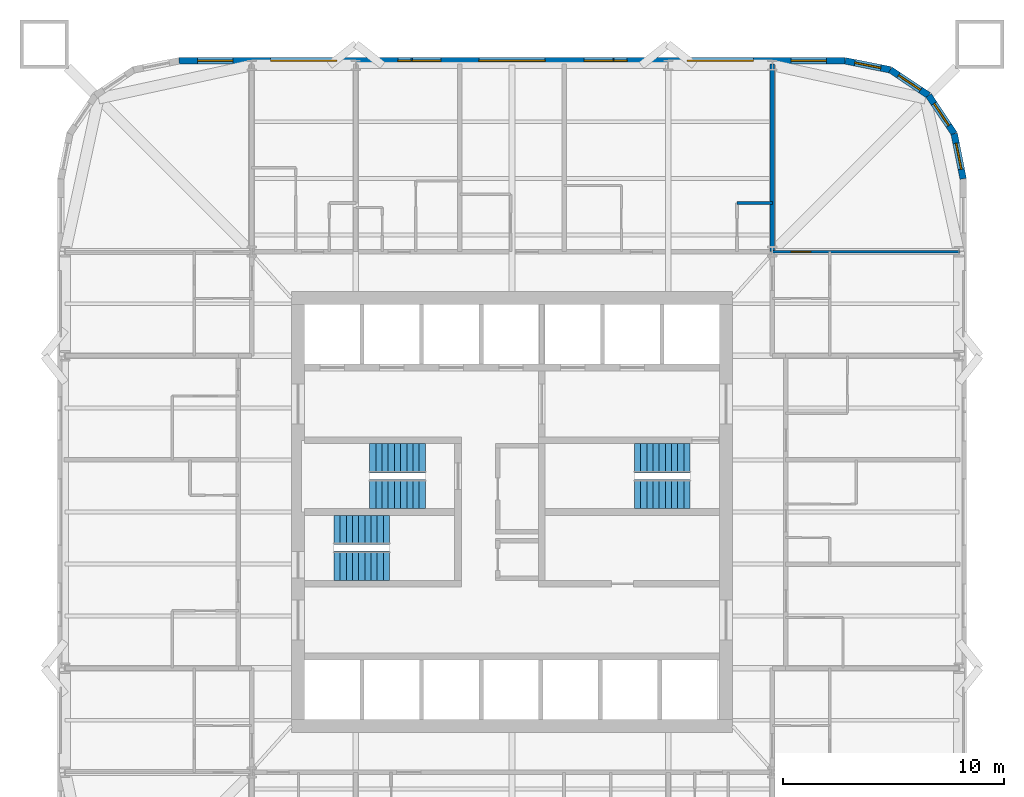
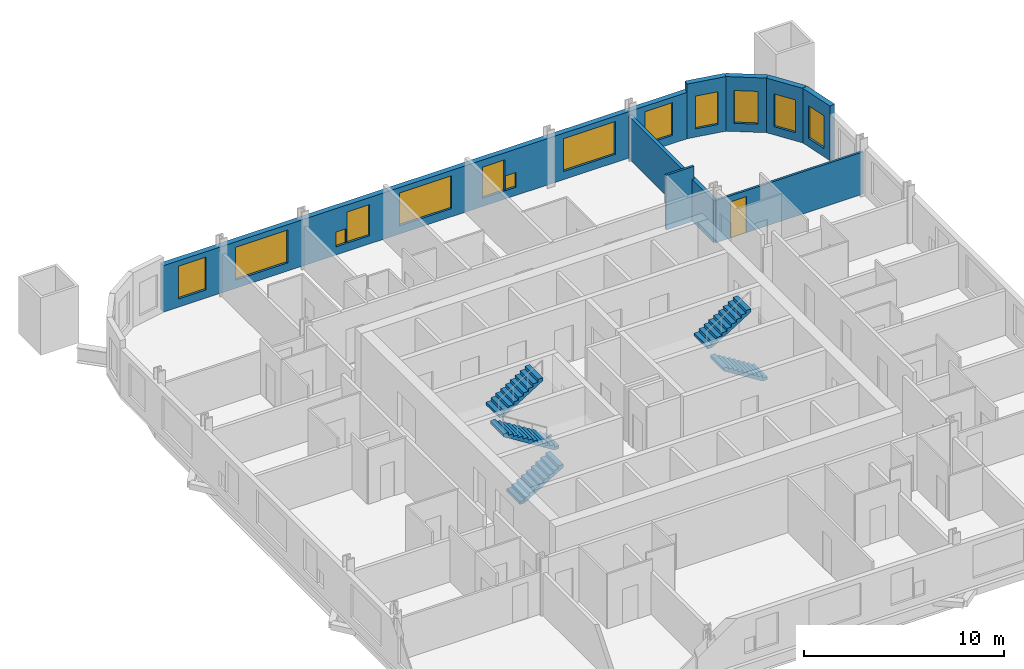
# One storey, part 8 of 9: 13 windows, 8 walls, 6 stair flights, 1 door, 14 openings, 3 elements without a shape of their own.
"""IFC4 building model written with IfcOpenShell, lengths in metres."""

from ifc_helpers import new_model, si_unit, direction, frame, frame_2d, origin, place, context, subcontext, project, spatial, polyline, rectangle, outline, extrude, material, layer, layer_set, type_object, element, fill, aggregate, save


model = new_model("IFC4")

# Units and contexts
model_context = context("Model", 3, precision=1e-05, world=origin(), true_north=direction((0.0, 1.0)))
body_context = subcontext(model_context, "Body", "Model", "MODEL_VIEW")
ifc_project = project(units=[si_unit("LENGTHUNIT", "METRE"), si_unit("AREAUNIT", "SQUARE_METRE"), si_unit("VOLUMEUNIT", "CUBIC_METRE"), si_unit("PLANEANGLEUNIT", "RADIAN"), si_unit("MASSUNIT", "GRAM", prefix="KILO")], contexts=[model_context])

# Site, building, storey
site_placement = place(None, origin())
site = spatial("IfcSite", under=ifc_project, at=site_placement, CompositionType="ELEMENT")
building_placement = place(site_placement, origin())
building = spatial("IfcBuilding", under=site, at=building_placement, Name="Turquesa Mirador Hotel Tower", CompositionType="ELEMENT")
storey_placement = place(building_placement, frame((0.0, 0.0, 114.39990234375)))
storey = spatial("IfcBuildingStorey", under=building, at=storey_placement, Name="L30", CompositionType="ELEMENT", Elevation=114.39990234375)

# Wall, opening, window
ifc_material_1 = material(Name="Limestone cladding on concrete block", Category="masonry")
ifc_layer_1 = layer(ifc_material_1, 0.300048828125)
ifc_layer_set_1 = layer_set([ifc_layer_1], Name="FACADE WALL 300 STONE SCREEN")
wall_type_1 = type_object("IfcWallType", Name="FACADE WALL 300 STONE SCREEN", PredefinedType="SOLIDWALL", material=ifc_layer_set_1)
wall_1_placement = place(storey_placement, frame((75.449951171875, 60.10009765625, 0.0), z_axis=(0.0, 0.0, 1.0), x_axis=(-0.195081421501, 0.980787050784, 0.0)))
wall_1 = element("IfcWall", 1, at=wall_1_placement, inside=storey, type_object=wall_type_1, Name="Facade wall L30 05", PredefinedType="SOLIDWALL", context=body_context, shape_type="SweptSolid", body=[
    extrude(rectangle(XDim=2.08740234375, YDim=0.300048828125, at=frame_2d((1.043701171875, 0.0))), origin(), (0.0, 0.0, 1.0), 3.330078125),
])
opening_1_placement = place(wall_1_placement, frame((0.443603515625, 0.0, 0.5)))
opening_1 = element("IfcOpeningElement", 2, at=opening_1_placement, cuts=wall_1, Name="Opening WN4", PredefinedType="OPENING", context=body_context, shape_type="SweptSolid", body=[
    extrude(rectangle(XDim=1.199951171875, YDim=2.0, at=frame_2d((0.60009765625, 1.0))), frame((0.0, 0.159912109375, 0.0), z_axis=(0.0, -1.0, 0.0), x_axis=(1.0, 0.0, 0.0)), (0.0, 0.0, 1.0), 0.320068359375),
])
ifc_material_2 = material(Name="Ceramic-fritted laminated glass", Category="glass")
window_type_1 = type_object("IfcWindowType", Name="FRITTED CORNER WINDOW 1200X2000", PartitioningType="DOUBLE_PANEL_HORIZONTAL", PredefinedType="WINDOW", material=ifc_material_2)
window_1_placement = place(opening_1_placement, origin())
window_1 = element("IfcWindow", 3, at=window_1_placement, inside=storey, type_object=window_type_1, Name="Window L30", OverallHeight=2.0, OverallWidth=1.199951171875, PartitioningType="SINGLE_PANEL", PredefinedType="WINDOW", context=body_context, shape_type="SweptSolid", body=[
    extrude(rectangle(XDim=1.199951171875, YDim=2.0, at=frame_2d((0.60009765625, 1.0))), frame((0.0, 0.030029296875, 0.0), z_axis=(0.0, -1.0, 0.0), x_axis=(1.0, 0.0, 0.0)), (0.0, 0.0, 1.0), 0.06005859375),
])
fill(opening_1, window_1)

wall_2_placement = place(storey_placement, frame((75.042724609375, 62.1474609375, 0.0), z_axis=(0.0, 0.0, 1.0), x_axis=(-0.555563607591, 0.831474039234, 0.0)))
wall_2 = element("IfcWall", 4, at=wall_2_placement, inside=storey, type_object=wall_type_1, Name="Facade wall L30 06", PredefinedType="SOLIDWALL", context=body_context, shape_type="SweptSolid", body=[
    extrude(rectangle(XDim=2.08740234375, YDim=0.300048828125, at=frame_2d((1.043701171875, 0.0))), origin(), (0.0, 0.0, 1.0), 3.330078125),
])
opening_2_placement = place(wall_2_placement, frame((0.443603515625, 0.0, 0.5)))
opening_2 = element("IfcOpeningElement", 5, at=opening_2_placement, cuts=wall_2, Name="Opening WN4", PredefinedType="OPENING", context=body_context, shape_type="SweptSolid", body=[
    extrude(rectangle(XDim=1.199951171875, YDim=2.0, at=frame_2d((0.60009765625, 1.0))), frame((0.0, 0.159912109375, 0.0), z_axis=(0.0, -1.0, 0.0), x_axis=(1.0, 0.0, 0.0)), (0.0, 0.0, 1.0), 0.320068359375),
])
window_2_placement = place(opening_2_placement, origin())
window_2 = element("IfcWindow", 6, at=window_2_placement, inside=storey, type_object=window_type_1, Name="Window L30", OverallHeight=2.0, OverallWidth=1.199951171875, PartitioningType="SINGLE_PANEL", PredefinedType="WINDOW", context=body_context, shape_type="SweptSolid", body=[
    extrude(rectangle(XDim=1.199951171875, YDim=2.0, at=frame_2d((0.60009765625, 1.0))), frame((0.0, 0.030029296875, 0.0), z_axis=(0.0, -1.0, 0.0), x_axis=(1.0, 0.0, 0.0)), (0.0, 0.0, 1.0), 0.06005859375),
])
fill(opening_2, window_2)

wall_3_placement = place(storey_placement, frame((73.883056640625, 63.883056640625, 0.0), z_axis=(0.0, 0.0, 1.0), x_axis=(-0.831474039234, 0.555563607591, 0.0)))
wall_3 = element("IfcWall", 7, at=wall_3_placement, inside=storey, type_object=wall_type_1, Name="Facade wall L30 07", PredefinedType="SOLIDWALL", context=body_context, shape_type="SweptSolid", body=[
    extrude(rectangle(XDim=2.08740234375, YDim=0.300048828125, at=frame_2d((1.043701171875, 0.0))), origin(), (0.0, 0.0, 1.0), 3.330078125),
])
opening_3_placement = place(wall_3_placement, frame((0.443603515625, 0.0, 0.5)))
opening_3 = element("IfcOpeningElement", 8, at=opening_3_placement, cuts=wall_3, Name="Opening WN4", PredefinedType="OPENING", context=body_context, shape_type="SweptSolid", body=[
    extrude(rectangle(XDim=1.199951171875, YDim=2.0, at=frame_2d((0.60009765625, 1.0))), frame((0.0, 0.159912109375, 0.0), z_axis=(0.0, -1.0, 0.0), x_axis=(1.0, 0.0, 0.0)), (0.0, 0.0, 1.0), 0.320068359375),
])
window_3_placement = place(opening_3_placement, origin())
window_3 = element("IfcWindow", 9, at=window_3_placement, inside=storey, type_object=window_type_1, Name="Window L30", OverallHeight=2.0, OverallWidth=1.199951171875, PartitioningType="SINGLE_PANEL", PredefinedType="WINDOW", context=body_context, shape_type="SweptSolid", body=[
    extrude(rectangle(XDim=1.199951171875, YDim=2.0, at=frame_2d((0.60009765625, 1.0))), frame((0.0, 0.030029296875, 0.0), z_axis=(0.0, -1.0, 0.0), x_axis=(1.0, 0.0, 0.0)), (0.0, 0.0, 1.0), 0.06005859375),
])
fill(opening_3, window_3)

wall_4_placement = place(storey_placement, frame((72.1474609375, 65.042724609375, 0.0), z_axis=(0.0, 0.0, 1.0), x_axis=(-0.980787050784, 0.195081421501, 0.0)))
wall_4 = element("IfcWall", 10, at=wall_4_placement, inside=storey, type_object=wall_type_1, Name="Facade wall L30 08", PredefinedType="SOLIDWALL", context=body_context, shape_type="SweptSolid", body=[
    extrude(rectangle(XDim=2.08740234375, YDim=0.300048828125, at=frame_2d((1.043701171875, 0.0))), origin(), (0.0, 0.0, 1.0), 3.330078125),
])
opening_4_placement = place(wall_4_placement, frame((0.443603515625, 0.0, 0.5)))
opening_4 = element("IfcOpeningElement", 11, at=opening_4_placement, cuts=wall_4, Name="Opening WN4", PredefinedType="OPENING", context=body_context, shape_type="SweptSolid", body=[
    extrude(rectangle(XDim=1.199951171875, YDim=2.0, at=frame_2d((0.60009765625, 1.0))), frame((0.0, 0.159912109375, 0.0), z_axis=(0.0, -1.0, 0.0), x_axis=(1.0, 0.0, 0.0)), (0.0, 0.0, 1.0), 0.320068359375),
])
window_4_placement = place(opening_4_placement, origin())
window_4 = element("IfcWindow", 12, at=window_4_placement, inside=storey, type_object=window_type_1, Name="Window L30", OverallHeight=2.0, OverallWidth=1.199951171875, PartitioningType="SINGLE_PANEL", PredefinedType="WINDOW", context=body_context, shape_type="SweptSolid", body=[
    extrude(rectangle(XDim=1.199951171875, YDim=2.0, at=frame_2d((0.60009765625, 1.0))), frame((0.0, 0.030029296875, 0.0), z_axis=(0.0, -1.0, 0.0), x_axis=(1.0, 0.0, 0.0)), (0.0, 0.0, 1.0), 0.06005859375),
])
fill(opening_4, window_4)

# Wall, openings, windows
wall_5_placement = place(storey_placement, frame((70.10009765625, 65.449951171875, 0.0), z_axis=(0.0, 0.0, 1.0), x_axis=(-1.0, 0.0, 0.0)))
wall_5 = element("IfcWall", 13, at=wall_5_placement, inside=storey, type_object=wall_type_1, Name="Facade wall L30 09", PredefinedType="SOLIDWALL", context=body_context, shape_type="SweptSolid", body=[
    extrude(rectangle(XDim=30.2001953125, YDim=0.300048828125, at=frame_2d((15.10009765625, 0.0))), origin(), (0.0, 0.0, 1.0), 2.830078125),
])
opening_5_placement = place(wall_5_placement, frame((0.85009765625, 0.0, 0.5)))
opening_5 = element("IfcOpeningElement", 14, at=opening_5_placement, cuts=wall_5, Name="Opening WN3", PredefinedType="OPENING", context=body_context, shape_type="SweptSolid", body=[
    extrude(rectangle(XDim=1.60009765625, YDim=2.0, at=frame_2d((0.800048828125, 1.0))), frame((0.0, 0.159912109375, 0.0), z_axis=(0.0, -1.0, 0.0), x_axis=(1.0, 0.0, 0.0)), (0.0, 0.0, 1.0), 0.320068359375),
])
opening_6_placement = place(wall_5_placement, frame((4.159912109375, 0.0, 0.5)))
opening_6 = element("IfcOpeningElement", 15, at=opening_6_placement, cuts=wall_5, Name="Opening WN1", PredefinedType="OPENING", context=body_context, shape_type="SweptSolid", body=[
    extrude(rectangle(XDim=3.0, YDim=2.0, at=frame_2d((1.5, 1.0))), frame((0.0, 0.159912109375, 0.0), z_axis=(0.0, -1.0, 0.0), x_axis=(1.0, 0.0, 0.0)), (0.0, 0.0, 1.0), 0.320068359375),
])
opening_7_placement = place(wall_5_placement, frame((10.530029296875, 0.0, 0.5)))
opening_7 = element("IfcOpeningElement", 16, at=opening_7_placement, cuts=wall_5, Name="Opening WN27", PredefinedType="OPENING", context=body_context, shape_type="SweptSolid", body=[
    extrude(rectangle(XDim=1.300048828125, YDim=1.89990234375, at=frame_2d((0.64990234375, 0.949951171875))), frame((0.0, 0.159912109375, 0.0), z_axis=(0.0, -1.0, 0.0), x_axis=(1.0, 0.0, 0.0)), (0.0, 0.0, 1.0), 0.320068359375),
])
opening_8_placement = place(wall_5_placement, frame((13.60009765625, 0.0, 0.5)))
opening_8 = element("IfcOpeningElement", 17, at=opening_8_placement, cuts=wall_5, Name="Opening WN1", PredefinedType="OPENING", context=body_context, shape_type="SweptSolid", body=[
    extrude(rectangle(XDim=3.0, YDim=2.0, at=frame_2d((1.5, 1.0))), frame((0.0, 0.159912109375, 0.0), z_axis=(0.0, -1.0, 0.0), x_axis=(1.0, 0.0, 0.0)), (0.0, 0.0, 1.0), 0.320068359375),
])
opening_9_placement = place(wall_5_placement, frame((18.320068359375, 0.0, 0.5)))
opening_9 = element("IfcOpeningElement", 18, at=opening_9_placement, cuts=wall_5, Name="Opening WN27", PredefinedType="OPENING", context=body_context, shape_type="SweptSolid", body=[
    extrude(rectangle(XDim=1.300048828125, YDim=1.89990234375, at=frame_2d((0.64990234375, 0.949951171875))), frame((0.0, 0.159912109375, 0.0), z_axis=(0.0, -1.0, 0.0), x_axis=(1.0, 0.0, 0.0)), (0.0, 0.0, 1.0), 0.320068359375),
])
opening_10_placement = place(wall_5_placement, frame((23.0400390625, 0.0, 0.5)))
opening_10 = element("IfcOpeningElement", 19, at=opening_10_placement, cuts=wall_5, Name="Opening WN1", PredefinedType="OPENING", context=body_context, shape_type="SweptSolid", body=[
    extrude(rectangle(XDim=3.0, YDim=2.0, at=frame_2d((1.5, 1.0))), frame((0.0, 0.159912109375, 0.0), z_axis=(0.0, -1.0, 0.0), x_axis=(1.0, 0.0, 0.0)), (0.0, 0.0, 1.0), 0.320068359375),
])
opening_11_placement = place(wall_5_placement, frame((27.75, 0.0, 0.5)))
opening_11 = element("IfcOpeningElement", 20, at=opening_11_placement, cuts=wall_5, Name="Opening WN3", PredefinedType="OPENING", context=body_context, shape_type="SweptSolid", body=[
    extrude(rectangle(XDim=1.60009765625, YDim=2.0, at=frame_2d((0.800048828125, 1.0))), frame((0.0, 0.159912109375, 0.0), z_axis=(0.0, -1.0, 0.0), x_axis=(1.0, 0.0, 0.0)), (0.0, 0.0, 1.0), 0.320068359375),
])
opening_12_placement = place(wall_5_placement, frame((9.8798828125, 0.0, 0.5)))
opening_12 = element("IfcOpeningElement", 21, at=opening_12_placement, cuts=wall_5, Name="Opening WN25", PredefinedType="OPENING", context=body_context, shape_type="SweptSolid", body=[
    extrude(rectangle(XDim=0.60009765625, YDim=0.89990234375, at=frame_2d((0.300048828125, 0.449951171875))), frame((0.0, 0.159912109375, 0.0), z_axis=(0.0, -1.0, 0.0), x_axis=(1.0, 0.0, 0.0)), (0.0, 0.0, 1.0), 0.320068359375),
])
opening_13_placement = place(wall_5_placement, frame((19.669921875, 0.0, 0.5)))
opening_13 = element("IfcOpeningElement", 22, at=opening_13_placement, cuts=wall_5, Name="Opening WN25", PredefinedType="OPENING", context=body_context, shape_type="SweptSolid", body=[
    extrude(rectangle(XDim=0.60009765625, YDim=0.89990234375, at=frame_2d((0.300048828125, 0.449951171875))), frame((0.0, 0.159912109375, 0.0), z_axis=(0.0, -1.0, 0.0), x_axis=(1.0, 0.0, 0.0)), (0.0, 0.0, 1.0), 0.320068359375),
])
ifc_material_3 = material(Name="Ceramic-fritted laminated glass", Category="glass")
window_type_2 = type_object("IfcWindowType", Name="FRITTED WINDOW 1300X1900", PartitioningType="DOUBLE_PANEL_HORIZONTAL", PredefinedType="WINDOW", material=ifc_material_3)
window_5_placement = place(opening_7_placement, origin())
window_5 = element("IfcWindow", 23, at=window_5_placement, inside=storey, type_object=window_type_2, Name="Window L30", OverallHeight=1.89990234375, OverallWidth=1.300048828125, PartitioningType="SINGLE_PANEL", PredefinedType="WINDOW", context=body_context, shape_type="SweptSolid", body=[
    extrude(rectangle(XDim=1.300048828125, YDim=1.89990234375, at=frame_2d((0.64990234375, 0.949951171875))), frame((0.0, 0.030029296875, 0.0), z_axis=(0.0, -1.0, 0.0), x_axis=(1.0, 0.0, 0.0)), (0.0, 0.0, 1.0), 0.06005859375),
])
fill(opening_7, window_5)
window_6_placement = place(opening_9_placement, origin())
window_6 = element("IfcWindow", 24, at=window_6_placement, inside=storey, type_object=window_type_2, Name="Window L30", OverallHeight=1.89990234375, OverallWidth=1.300048828125, PartitioningType="SINGLE_PANEL", PredefinedType="WINDOW", context=body_context, shape_type="SweptSolid", body=[
    extrude(rectangle(XDim=1.300048828125, YDim=1.89990234375, at=frame_2d((0.64990234375, 0.949951171875))), frame((0.0, 0.030029296875, 0.0), z_axis=(0.0, -1.0, 0.0), x_axis=(1.0, 0.0, 0.0)), (0.0, 0.0, 1.0), 0.06005859375),
])
fill(opening_9, window_6)
ifc_material_4 = material(Name="Ceramic-fritted laminated glass", Category="glass")
window_type_3 = type_object("IfcWindowType", Name="FRITTED WINDOW 1600X2000", PartitioningType="DOUBLE_PANEL_HORIZONTAL", PredefinedType="WINDOW", material=ifc_material_4)
window_7_placement = place(opening_5_placement, origin())
window_7 = element("IfcWindow", 25, at=window_7_placement, inside=storey, type_object=window_type_3, Name="Window L30", OverallHeight=2.0, OverallWidth=1.60009765625, PartitioningType="SINGLE_PANEL", PredefinedType="WINDOW", context=body_context, shape_type="SweptSolid", body=[
    extrude(rectangle(XDim=1.60009765625, YDim=2.0, at=frame_2d((0.800048828125, 1.0))), frame((0.0, 0.030029296875, 0.0), z_axis=(0.0, -1.0, 0.0), x_axis=(1.0, 0.0, 0.0)), (0.0, 0.0, 1.0), 0.06005859375),
])
fill(opening_5, window_7)
window_8_placement = place(opening_11_placement, origin())
window_8 = element("IfcWindow", 26, at=window_8_placement, inside=storey, type_object=window_type_3, Name="Window L30", OverallHeight=2.0, OverallWidth=1.60009765625, PartitioningType="SINGLE_PANEL", PredefinedType="WINDOW", context=body_context, shape_type="SweptSolid", body=[
    extrude(rectangle(XDim=1.60009765625, YDim=2.0, at=frame_2d((0.800048828125, 1.0))), frame((0.0, 0.030029296875, 0.0), z_axis=(0.0, -1.0, 0.0), x_axis=(1.0, 0.0, 0.0)), (0.0, 0.0, 1.0), 0.06005859375),
])
fill(opening_11, window_8)
ifc_material_5 = material(Name="Ceramic-fritted laminated glass", Category="glass")
window_type_4 = type_object("IfcWindowType", Name="FRITTED WINDOW 3000X2000", PartitioningType="DOUBLE_PANEL_HORIZONTAL", PredefinedType="WINDOW", material=ifc_material_5)
window_9_placement = place(opening_6_placement, origin())
window_9 = element("IfcWindow", 27, at=window_9_placement, inside=storey, type_object=window_type_4, Name="Window L30", OverallHeight=2.0, OverallWidth=3.0, PartitioningType="SINGLE_PANEL", PredefinedType="WINDOW", context=body_context, shape_type="SweptSolid", body=[
    extrude(rectangle(XDim=3.0, YDim=2.0, at=frame_2d((1.5, 1.0))), frame((0.0, 0.030029296875, 0.0), z_axis=(0.0, -1.0, 0.0), x_axis=(1.0, 0.0, 0.0)), (0.0, 0.0, 1.0), 0.06005859375),
])
fill(opening_6, window_9)
window_10_placement = place(opening_8_placement, origin())
window_10 = element("IfcWindow", 28, at=window_10_placement, inside=storey, type_object=window_type_4, Name="Window L30", OverallHeight=2.0, OverallWidth=3.0, PartitioningType="SINGLE_PANEL", PredefinedType="WINDOW", context=body_context, shape_type="SweptSolid", body=[
    extrude(rectangle(XDim=3.0, YDim=2.0, at=frame_2d((1.5, 1.0))), frame((0.0, 0.030029296875, 0.0), z_axis=(0.0, -1.0, 0.0), x_axis=(1.0, 0.0, 0.0)), (0.0, 0.0, 1.0), 0.06005859375),
])
fill(opening_8, window_10)
window_11_placement = place(opening_10_placement, origin())
window_11 = element("IfcWindow", 29, at=window_11_placement, inside=storey, type_object=window_type_4, Name="Window L30", OverallHeight=2.0, OverallWidth=3.0, PartitioningType="SINGLE_PANEL", PredefinedType="WINDOW", context=body_context, shape_type="SweptSolid", body=[
    extrude(rectangle(XDim=3.0, YDim=2.0, at=frame_2d((1.5, 1.0))), frame((0.0, 0.030029296875, 0.0), z_axis=(0.0, -1.0, 0.0), x_axis=(1.0, 0.0, 0.0)), (0.0, 0.0, 1.0), 0.06005859375),
])
fill(opening_10, window_11)
ifc_material_6 = material(Name="Ceramic-fritted laminated glass", Category="glass")
window_type_5 = type_object("IfcWindowType", Name="FRITTED WINDOW 600X900", PartitioningType="DOUBLE_PANEL_HORIZONTAL", PredefinedType="WINDOW", material=ifc_material_6)
window_12_placement = place(opening_12_placement, origin())
window_12 = element("IfcWindow", 30, at=window_12_placement, inside=storey, type_object=window_type_5, Name="Window L30", OverallHeight=0.89990234375, OverallWidth=0.60009765625, PartitioningType="SINGLE_PANEL", PredefinedType="WINDOW", context=body_context, shape_type="SweptSolid", body=[
    extrude(rectangle(XDim=0.60009765625, YDim=0.89990234375, at=frame_2d((0.300048828125, 0.449951171875))), frame((0.0, 0.030029296875, 0.0), z_axis=(0.0, -1.0, 0.0), x_axis=(1.0, 0.0, 0.0)), (0.0, 0.0, 1.0), 0.06005859375),
])
fill(opening_12, window_12)
window_13_placement = place(opening_13_placement, origin())
window_13 = element("IfcWindow", 31, at=window_13_placement, inside=storey, type_object=window_type_5, Name="Window L30", OverallHeight=0.89990234375, OverallWidth=0.60009765625, PartitioningType="SINGLE_PANEL", PredefinedType="WINDOW", context=body_context, shape_type="SweptSolid", body=[
    extrude(rectangle(XDim=0.60009765625, YDim=0.89990234375, at=frame_2d((0.300048828125, 0.449951171875))), frame((0.0, 0.030029296875, 0.0), z_axis=(0.0, -1.0, 0.0), x_axis=(1.0, 0.0, 0.0)), (0.0, 0.0, 1.0), 0.06005859375),
])
fill(opening_13, window_13)

# Wall
ifc_material_7 = material(Name="Fire-rated gypsum board on steel studs", Category="steel")
ifc_layer_2 = layer(ifc_material_7, 0.199951171875)
ifc_layer_set_2 = layer_set([ifc_layer_2], Name="PARTY WALL 200")
wall_type_2 = type_object("IfcWallType", Name="PARTY WALL 200", PredefinedType="PARTITIONING", material=ifc_layer_set_2)
wall_6_placement = place(storey_placement, frame((66.800048828125, 56.800048828125, 0.0), z_axis=(0.0, 0.0, 1.0), x_axis=(0.0, 1.0, 0.0)))
element("IfcWall", 32, at=wall_6_placement, inside=storey, type_object=wall_type_2, Name="Partition L30 068", PredefinedType="PARTITIONING", context=body_context, shape_type="SweptSolid", body=[
    extrude(rectangle(XDim=8.5, YDim=0.199951171875, at=frame_2d((4.25, 0.0))), origin(), (0.0, 0.0, 1.0), 2.5732421875),
])

# Wall, opening, door
ifc_material_8 = material(Name="Acoustic gypsum board on steel studs", Category="steel")
ifc_layer_3 = layer(ifc_material_8, 0.125)
ifc_layer_set_3 = layer_set([ifc_layer_3], Name="SUITE PARTITION 125")
wall_type_3 = type_object("IfcWallType", Name="SUITE PARTITION 125", PredefinedType="PARTITIONING", material=ifc_layer_set_3)
wall_7_placement = place(storey_placement, frame((66.800048828125, 56.800048828125, 0.0), z_axis=(0.0, 0.0, 1.0), x_axis=(1.0, 0.0, 0.0)))
wall_7 = element("IfcWall", 33, at=wall_7_placement, inside=storey, type_object=wall_type_3, Name="Partition L30 023", PredefinedType="PARTITIONING", context=body_context, shape_type="SweptSolid", body=[
    extrude(rectangle(XDim=8.5, YDim=0.125, at=frame_2d((4.25, 0.0))), origin(), (0.0, 0.0, 1.0), 2.5732421875),
])
opening_14_placement = place(wall_7_placement, frame((0.85009765625, 0.0, 0.0)))
opening_14 = element("IfcOpeningElement", 34, at=opening_14_placement, cuts=wall_7, Name="Opening D17", PredefinedType="OPENING", context=body_context, shape_type="SweptSolid", body=[
    extrude(rectangle(XDim=0.89990234375, YDim=2.199951171875, at=frame_2d((0.449951171875, 1.10009765625))), frame((0.0, 0.072509765625, 0.0), z_axis=(0.0, -1.0, 0.0), x_axis=(1.0, 0.0, 0.0)), (0.0, 0.0, 1.0), 0.14501953125),
])
ifc_material_9 = material(Name="Timber veneered door", Category="wood")
door_type = type_object("IfcDoorType", Name="DOOR 900X2200 SUITE INTERNAL", OperationType="SINGLE_SWING_LEFT", PredefinedType="DOOR", material=ifc_material_9)
door_placement = place(opening_14_placement, origin())
door = element("IfcDoor", 35, at=door_placement, inside=storey, type_object=door_type, Name="Door 3013", OperationType="SINGLE_SWING_LEFT", OverallHeight=2.199951171875, OverallWidth=0.89990234375, PredefinedType="DOOR", context=body_context, shape_type="SweptSolid", body=[
    extrude(rectangle(XDim=0.89990234375, YDim=2.199951171875, at=frame_2d((0.449951171875, 1.10009765625))), frame((0.0, 0.02490234375, 0.0), z_axis=(0.0, -1.0, 0.0), x_axis=(1.0, 0.0, 0.0)), (0.0, 0.0, 1.0), 0.050048828125),
])
fill(opening_14, door)

# Wall
wall_8_placement = place(storey_placement, frame((65.199951171875, 59.0, 0.0), z_axis=(0.0, 0.0, 1.0), x_axis=(1.0, 0.0, 0.0)))
element("IfcWall", 36, at=wall_8_placement, inside=storey, type_object=wall_type_3, Name="Partition L30 026", PredefinedType="PARTITIONING", context=body_context, shape_type="SweptSolid", body=[
    extrude(rectangle(XDim=1.60009765625, YDim=0.125, at=frame_2d((0.800048828125, 0.0))), origin(), (0.0, 0.0, 1.0), 3.330078125),
])

# Stair, stair flights
ifc_material_10 = material(Name="Concrete C35/45", Category="concrete")
stair_type = type_object("IfcStairType", Name="ESCAPE STAIR CORE", PredefinedType="HALF_TURN_STAIR", material=ifc_material_10)
stair_1_placement = place(storey_placement, origin())
stair_1 = element("IfcStair", 37, at=stair_1_placement, inside=storey, type_object=stair_type, Name="Stair ST1 L30 to L31", PredefinedType="HALF_TURN_STAIR")
ifc_material_11 = material(Name="Concrete C35/45 precast flight", Category="concrete")
stair_flight_type = type_object("IfcStairFlightType", Name="STAIR FLIGHT 1330", PredefinedType="STRAIGHT", material=ifc_material_11)
stair_flight_1_placement = place(storey_placement, frame((51.070068359375, 45.81494140625, 0.0), z_axis=(0.0, 0.0, 1.0), x_axis=(-1.0, 0.0, 0.0)))
stair_flight_1 = element("IfcStairFlight", 38, at=stair_flight_1_placement, type_object=stair_flight_type, Name="ST1 flight 1", NumberOfRisers=10, NumberOfTreads=9, PredefinedType="STRAIGHT", RiserHeight=0.175, TreadLength=0.28, context=body_context, shape_type="SweptSolid", body=[
    extrude(outline(polyline([(0.0, 0.0), (0.0, 0.175048828125), (0.280029296875, 0.175048828125), (0.280029296875, 0.35009765625), (0.56005859375, 0.35009765625), (0.56005859375, 0.52490234375), (0.840087890625, 0.52490234375), (0.840087890625, 0.699951171875), (1.1201171875, 0.699951171875), (1.1201171875, 0.875), (1.39990234375, 0.875), (1.39990234375, 1.050048828125), (1.679931640625, 1.050048828125), (1.679931640625, 1.22509765625), (1.9599609375, 1.22509765625), (1.9599609375, 1.39990234375), (2.239990234375, 1.39990234375), (2.239990234375, 1.574951171875), (2.52001953125, 1.574951171875), (2.52001953125, 1.75), (2.52001953125, 1.398193359375), (0.28271484375, 0.0), (0.0, 0.0)])), frame((0.0, 0.6650390625, 0.0), z_axis=(0.0, -1.0, 0.0), x_axis=(1.0, 0.0, 0.0)), (0.0, 0.0, 1.0), 1.330078125),
])
stair_flight_2_placement = place(storey_placement, frame((48.550048828125, 47.43505859375, 1.75), z_axis=(0.0, 0.0, 1.0), x_axis=(1.0, 0.0, 0.0)))
stair_flight_2 = element("IfcStairFlight", 39, at=stair_flight_2_placement, type_object=stair_flight_type, Name="ST1 flight 2", NumberOfRisers=10, NumberOfTreads=9, PredefinedType="STRAIGHT", RiserHeight=0.175, TreadLength=0.28, context=body_context, shape_type="SweptSolid", body=[
    extrude(outline(polyline([(0.0, 0.0), (0.0, 0.175048828125), (0.280029296875, 0.175048828125), (0.280029296875, 0.35009765625), (0.56005859375, 0.35009765625), (0.56005859375, 0.52490234375), (0.840087890625, 0.52490234375), (0.840087890625, 0.699951171875), (1.1201171875, 0.699951171875), (1.1201171875, 0.875), (1.39990234375, 0.875), (1.39990234375, 1.050048828125), (1.679931640625, 1.050048828125), (1.679931640625, 1.22509765625), (1.9599609375, 1.22509765625), (1.9599609375, 1.39990234375), (2.239990234375, 1.39990234375), (2.239990234375, 1.574951171875), (2.52001953125, 1.574951171875), (2.52001953125, 1.75), (2.52001953125, 1.398193359375), (0.28271484375, 0.0), (0.0, 0.0)])), frame((0.0, 0.6650390625, 0.0), z_axis=(0.0, -1.0, 0.0), x_axis=(1.0, 0.0, 0.0)), (0.0, 0.0, 1.0), 1.330078125),
])
aggregate(stair_1, [stair_flight_1, stair_flight_2])

stair_2_placement = place(storey_placement, origin())
stair_2 = element("IfcStair", 40, at=stair_2_placement, inside=storey, type_object=stair_type, Name="Stair ST2 L30 to L31", PredefinedType="HALF_TURN_STAIR")
stair_flight_3_placement = place(storey_placement, frame((46.929931640625, 42.56494140625, 0.0), z_axis=(0.0, 0.0, 1.0), x_axis=(1.0, 0.0, 0.0)))
stair_flight_3 = element("IfcStairFlight", 41, at=stair_flight_3_placement, type_object=stair_flight_type, Name="ST2 flight 1", NumberOfRisers=10, NumberOfTreads=9, PredefinedType="STRAIGHT", RiserHeight=0.175, TreadLength=0.28, context=body_context, shape_type="SweptSolid", body=[
    extrude(outline(polyline([(0.0, 0.0), (0.0, 0.175048828125), (0.280029296875, 0.175048828125), (0.280029296875, 0.35009765625), (0.56005859375, 0.35009765625), (0.56005859375, 0.52490234375), (0.840087890625, 0.52490234375), (0.840087890625, 0.699951171875), (1.1201171875, 0.699951171875), (1.1201171875, 0.875), (1.39990234375, 0.875), (1.39990234375, 1.050048828125), (1.679931640625, 1.050048828125), (1.679931640625, 1.22509765625), (1.9599609375, 1.22509765625), (1.9599609375, 1.39990234375), (2.239990234375, 1.39990234375), (2.239990234375, 1.574951171875), (2.52001953125, 1.574951171875), (2.52001953125, 1.75), (2.52001953125, 1.398193359375), (0.28271484375, 0.0), (0.0, 0.0)])), frame((0.0, 0.6650390625, 0.0), z_axis=(0.0, -1.0, 0.0), x_axis=(1.0, 0.0, 0.0)), (0.0, 0.0, 1.0), 1.330078125),
])
stair_flight_4_placement = place(storey_placement, frame((49.449951171875, 44.18505859375, 1.75), z_axis=(0.0, 0.0, 1.0), x_axis=(-1.0, 0.0, 0.0)))
stair_flight_4 = element("IfcStairFlight", 42, at=stair_flight_4_placement, type_object=stair_flight_type, Name="ST2 flight 2", NumberOfRisers=10, NumberOfTreads=9, PredefinedType="STRAIGHT", RiserHeight=0.175, TreadLength=0.28, context=body_context, shape_type="SweptSolid", body=[
    extrude(outline(polyline([(0.0, 0.0), (0.0, 0.175048828125), (0.280029296875, 0.175048828125), (0.280029296875, 0.35009765625), (0.56005859375, 0.35009765625), (0.56005859375, 0.52490234375), (0.840087890625, 0.52490234375), (0.840087890625, 0.699951171875), (1.1201171875, 0.699951171875), (1.1201171875, 0.875), (1.39990234375, 0.875), (1.39990234375, 1.050048828125), (1.679931640625, 1.050048828125), (1.679931640625, 1.22509765625), (1.9599609375, 1.22509765625), (1.9599609375, 1.39990234375), (2.239990234375, 1.39990234375), (2.239990234375, 1.574951171875), (2.52001953125, 1.574951171875), (2.52001953125, 1.75), (2.52001953125, 1.398193359375), (0.28271484375, 0.0), (0.0, 0.0)])), frame((0.0, 0.6650390625, 0.0), z_axis=(0.0, -1.0, 0.0), x_axis=(1.0, 0.0, 0.0)), (0.0, 0.0, 1.0), 1.330078125),
])
aggregate(stair_2, [stair_flight_3, stair_flight_4])

stair_3_placement = place(storey_placement, origin())
stair_3 = element("IfcStair", 43, at=stair_3_placement, inside=storey, type_object=stair_type, Name="Stair ST3 L30 to L31", PredefinedType="HALF_TURN_STAIR")
stair_flight_5_placement = place(storey_placement, frame((63.070068359375, 45.81494140625, 0.0), z_axis=(0.0, 0.0, 1.0), x_axis=(-1.0, 0.0, 0.0)))
stair_flight_5 = element("IfcStairFlight", 44, at=stair_flight_5_placement, type_object=stair_flight_type, Name="ST3 flight 1", NumberOfRisers=10, NumberOfTreads=9, PredefinedType="STRAIGHT", RiserHeight=0.175, TreadLength=0.28, context=body_context, shape_type="SweptSolid", body=[
    extrude(outline(polyline([(0.0, 0.0), (0.0, 0.175048828125), (0.280029296875, 0.175048828125), (0.280029296875, 0.35009765625), (0.56005859375, 0.35009765625), (0.56005859375, 0.52490234375), (0.840087890625, 0.52490234375), (0.840087890625, 0.699951171875), (1.1201171875, 0.699951171875), (1.1201171875, 0.875), (1.39990234375, 0.875), (1.39990234375, 1.050048828125), (1.679931640625, 1.050048828125), (1.679931640625, 1.22509765625), (1.9599609375, 1.22509765625), (1.9599609375, 1.39990234375), (2.239990234375, 1.39990234375), (2.239990234375, 1.574951171875), (2.52001953125, 1.574951171875), (2.52001953125, 1.75), (2.52001953125, 1.398193359375), (0.28271484375, 0.0), (0.0, 0.0)])), frame((0.0, 0.6650390625, 0.0), z_axis=(0.0, -1.0, 0.0), x_axis=(1.0, 0.0, 0.0)), (0.0, 0.0, 1.0), 1.330078125),
])
stair_flight_6_placement = place(storey_placement, frame((60.550048828125, 47.43505859375, 1.75), z_axis=(0.0, 0.0, 1.0), x_axis=(1.0, 0.0, 0.0)))
stair_flight_6 = element("IfcStairFlight", 45, at=stair_flight_6_placement, type_object=stair_flight_type, Name="ST3 flight 2", NumberOfRisers=10, NumberOfTreads=9, PredefinedType="STRAIGHT", RiserHeight=0.175, TreadLength=0.28, context=body_context, shape_type="SweptSolid", body=[
    extrude(outline(polyline([(0.0, 0.0), (0.0, 0.175048828125), (0.280029296875, 0.175048828125), (0.280029296875, 0.35009765625), (0.56005859375, 0.35009765625), (0.56005859375, 0.52490234375), (0.840087890625, 0.52490234375), (0.840087890625, 0.699951171875), (1.1201171875, 0.699951171875), (1.1201171875, 0.875), (1.39990234375, 0.875), (1.39990234375, 1.050048828125), (1.679931640625, 1.050048828125), (1.679931640625, 1.22509765625), (1.9599609375, 1.22509765625), (1.9599609375, 1.39990234375), (2.239990234375, 1.39990234375), (2.239990234375, 1.574951171875), (2.52001953125, 1.574951171875), (2.52001953125, 1.75), (2.52001953125, 1.398193359375), (0.28271484375, 0.0), (0.0, 0.0)])), frame((0.0, 0.6650390625, 0.0), z_axis=(0.0, -1.0, 0.0), x_axis=(1.0, 0.0, 0.0)), (0.0, 0.0, 1.0), 1.330078125),
])
aggregate(stair_3, [stair_flight_5, stair_flight_6])

save(model, "model.ifc")
